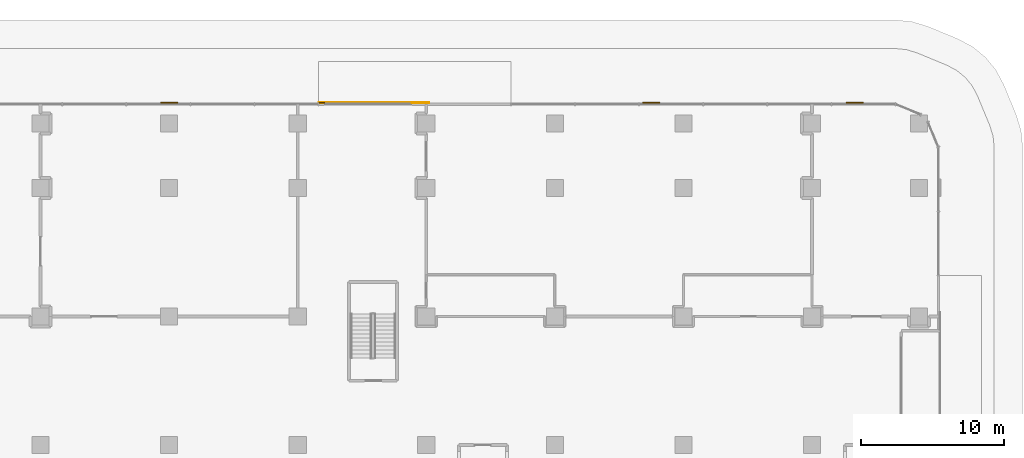
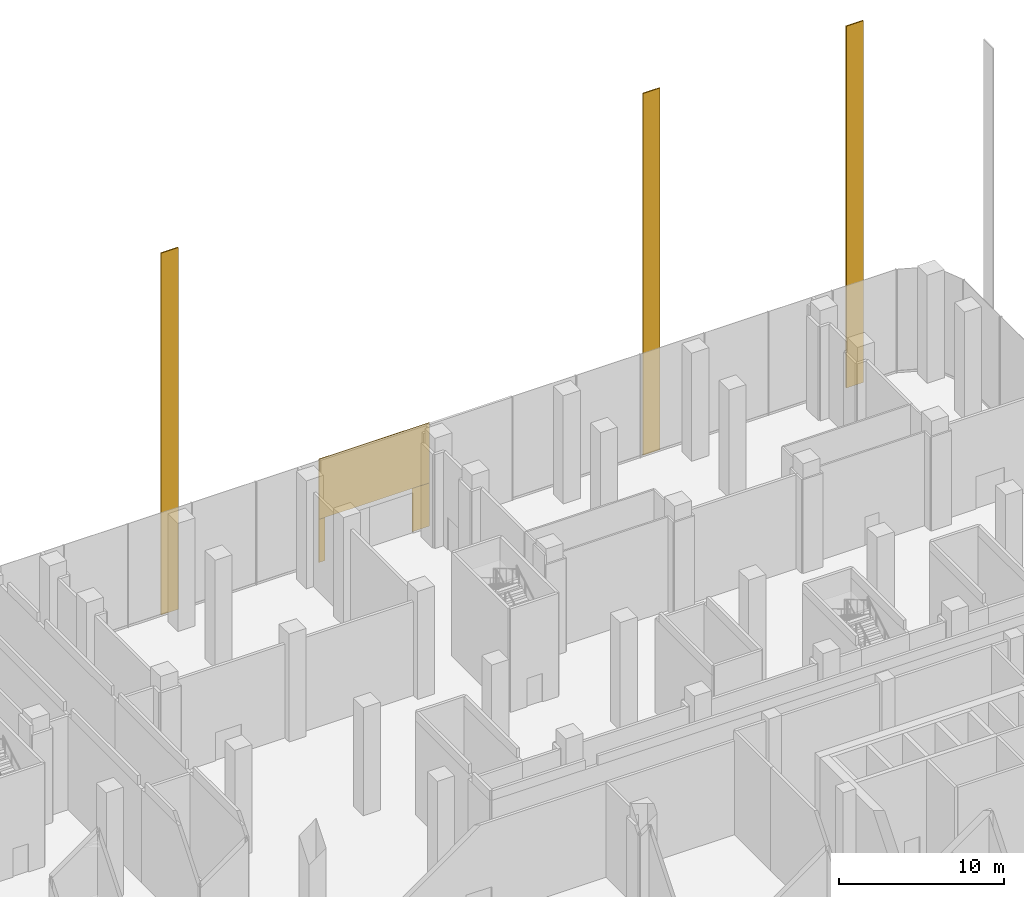
# One storey, part 40 of 42: 6 coverings.
"""IFC4 building model written with IfcOpenShell, lengths in metres."""

from ifc_helpers import new_model, si_unit, direction, frame, origin, origin_2d, place, context, subcontext, project, spatial, rectangle, extrude, material, layer, layer_set, type_object, element, save


model = new_model("IFC4")

# Units and contexts
model_context = context("Model", 3, precision=1e-05, world=origin(), true_north=direction((0.0, 1.0)))
body_context = subcontext(model_context, "Body", "Model", "MODEL_VIEW")
ifc_project = project(units=[si_unit("LENGTHUNIT", "METRE"), si_unit("AREAUNIT", "SQUARE_METRE"), si_unit("VOLUMEUNIT", "CUBIC_METRE"), si_unit("PLANEANGLEUNIT", "RADIAN"), si_unit("MASSUNIT", "GRAM", prefix="KILO")], contexts=[model_context])

# Site, building, storey
site_placement = place(None, origin())
site = spatial("IfcSite", under=ifc_project, at=site_placement, CompositionType="ELEMENT")
building_placement = place(site_placement, origin())
building = spatial("IfcBuilding", under=site, at=building_placement, Name="Plateau Cross Towers", CompositionType="ELEMENT")
storey_placement = place(building_placement, origin())
storey = spatial("IfcBuildingStorey", under=building, at=storey_placement, Name="L00", CompositionType="ELEMENT", Elevation=0.0)

# Coverings
ifc_material = material(Name="Aluminium composite cladding", Category="aluminium")
ifc_layer_1 = layer(ifc_material, 0.050048828125)
ifc_layer_set_1 = layer_set([ifc_layer_1], Name="Aluminium composite cladding")
covering_type_1 = type_object("IfcCoveringType", Name="Entrance surround board 50", PredefinedType="CLADDING", material=ifc_layer_set_1)
covering_1_placement = place(storey_placement, frame((68.328125, 59.955078125, 3.2001953125), z_axis=(0.0, 0.0, 1.0), x_axis=(-1.0, 0.0, 0.0)))
element("IfcCovering", 1, at=covering_1_placement, inside=storey, type_object=covering_type_1, Name="Entrance station-N2 head fascia", PredefinedType="CLADDING", context=body_context, shape_type="SweptSolid", body=[
    extrude(rectangle(XDim=7.731201171875, YDim=0.050048828125, at=origin_2d()), origin(), (0.0, 0.0, 1.0), 4.449951171875),
])
covering_2_placement = place(storey_placement, frame((71.59375, 59.955078125, 0.0), z_axis=(0.0, 0.0, 1.0), x_axis=(-1.0, 0.0, 0.0)))
element("IfcCovering", 2, at=covering_2_placement, inside=storey, type_object=covering_type_1, Name="Entrance station-N2 pier", PredefinedType="CLADDING", context=body_context, shape_type="SweptSolid", body=[
    extrude(rectangle(XDim=1.199951171875, YDim=0.050048828125, at=origin_2d()), origin(), (0.0, 0.0, 1.0), 3.199951171875),
])
covering_3_placement = place(storey_placement, frame((64.67822265625, 59.955078125, 0.0), z_axis=(0.0, 0.0, 1.0), x_axis=(-1.0, 0.0, 0.0)))
element("IfcCovering", 3, at=covering_3_placement, inside=storey, type_object=covering_type_1, Name="Entrance station-N2 pier", PredefinedType="CLADDING", context=body_context, shape_type="SweptSolid", body=[
    extrude(rectangle(XDim=0.43115234375, YDim=0.050048828125, at=origin_2d()), origin(), (0.0, 0.0, 1.0), 3.199951171875),
])
ifc_layer_2 = layer(ifc_material, 0.070068359375)
ifc_layer_set_2 = layer_set([ifc_layer_2], Name="Aluminium composite cladding")
covering_type_2 = type_object("IfcCoveringType", Name="Podium pier cladding 1200", PredefinedType="CLADDING", material=ifc_layer_set_2)
for number, where, z_axis, x_axis, name in (
    (4, (54.0, 59.9599609375, 0.0), (0.0, 0.0, 1.0), (-1.0, 0.0, 0.0), "Podium pier N4"),
    (5, (87.75, 59.9599609375, 0.0), (0.0, 0.0, 1.0), (-1.0, 0.0, 0.0), "Podium pier N6"),
    (6, (102.0, 59.9599609375, 0.0), (0.0, 0.0, 1.0), (-1.0, 0.0, 0.0), "Podium pier N7"),
):
    element("IfcCovering", number, at=place(storey_placement, frame(where, z_axis=z_axis, x_axis=x_axis)), inside=storey, type_object=covering_type_2, Name=name, PredefinedType="CLADDING", context=body_context, shape_type="SweptSolid", body=[
        extrude(rectangle(XDim=1.199951171875, YDim=0.070068359375, at=origin_2d()), origin(), (0.0, 0.0, 1.0), 26.800048828125),
    ])

save(model, "model.ifc")
